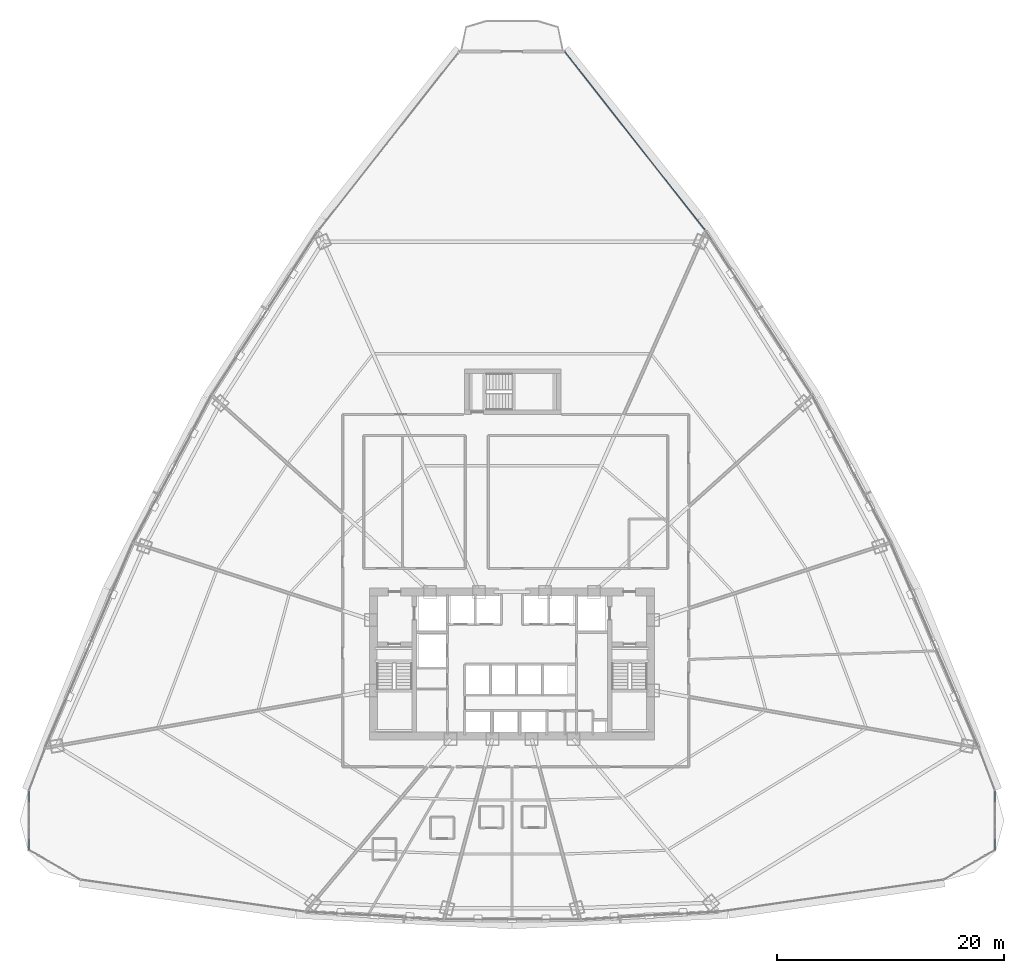
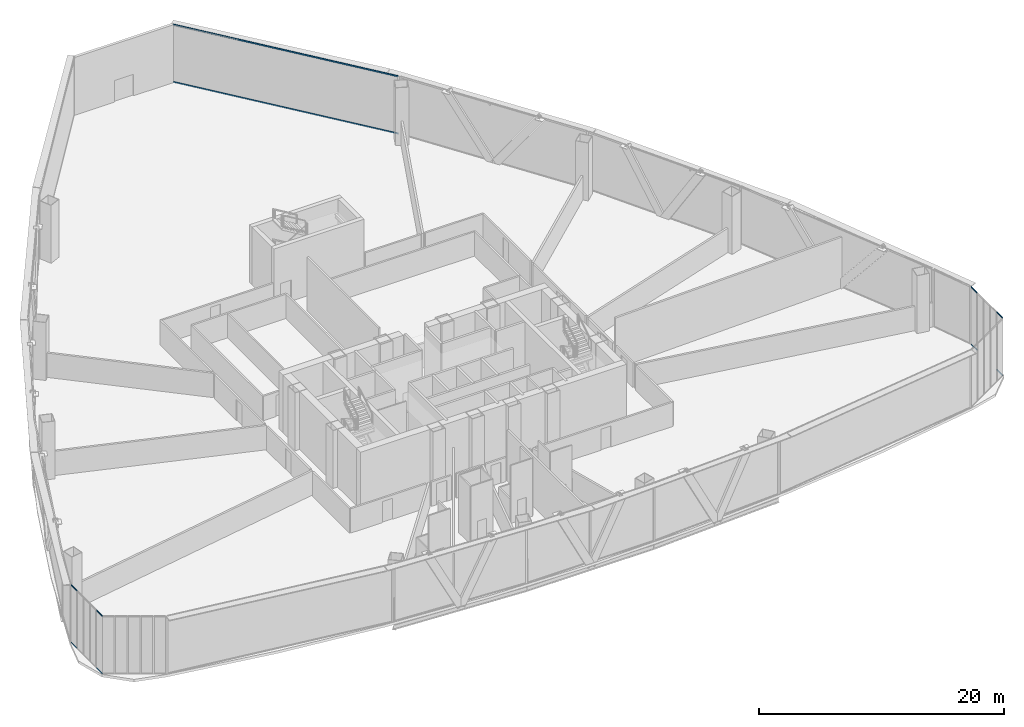
# One storey, part 28 of 41: 10 members, 3 elements without a shape of their own.
"""IFC4 building model written with IfcOpenShell, lengths in metres."""

from ifc_helpers import new_model, si_unit, direction, frame, origin, origin_2d, place, context, subcontext, project, spatial, hollow_rectangle, extrude, source, transform, mapped, material, layer, layer_set, material_profile, profile_set, type_object, element, aggregate, save


model = new_model("IFC4")

# Units and contexts
model_context = context("Model", 3, precision=1e-05, world=origin(), true_north=direction((0.0, 1.0)))
body_context = subcontext(model_context, "Body", "Model", "MODEL_VIEW")
ifc_project = project(units=[si_unit("LENGTHUNIT", "METRE"), si_unit("AREAUNIT", "SQUARE_METRE"), si_unit("VOLUMEUNIT", "CUBIC_METRE"), si_unit("PLANEANGLEUNIT", "RADIAN"), si_unit("MASSUNIT", "GRAM", prefix="KILO"), si_unit("THERMODYNAMICTEMPERATUREUNIT", "KELVIN"), si_unit("POWERUNIT", "WATT")], contexts=[model_context])

# Site, building, storey
site_placement = place(None, origin())
site = spatial("IfcSite", under=ifc_project, at=site_placement, CompositionType="ELEMENT")
building_placement = place(site_placement, origin())
building = spatial("IfcBuilding", under=site, at=building_placement, Name="Yunzhuo Pagoda Commons", CompositionType="ELEMENT")
storey_placement = place(building_placement, frame((0.0, 0.0, 70.330078125)))
storey = spatial("IfcBuildingStorey", under=building, at=storey_placement, Name="L18", CompositionType="ELEMENT", Elevation=70.330078125)

# Curtain wall, members
ifc_material = material(Name="Anodized aluminium 6063-T6", Category="aluminium")
ifc_layer_1 = layer(ifc_material, 0.1650390625)
ifc_layer_set_1 = layer_set([ifc_layer_1], Name="Anodized aluminium 6063-T6")
curtain_wall_type_1 = type_object("IfcCurtainWallType", Name="CW-LOW Low-Zone Ribbon Curtain Wall", PredefinedType="NOTDEFINED", material=ifc_layer_set_1)
curtain_wall_1_placement = place(storey_placement, origin())
curtain_wall_1 = element("IfcCurtainWall", 1, at=curtain_wall_1_placement, inside=storey, type_object=curtain_wall_type_1, Name="L18 curtain wall CW-L18-F2B5", PredefinedType="NOTDEFINED")
ifc_material_profile_1 = material_profile(ifc_material, hollow_rectangle(XDim=0.06005859375, YDim=0.139892578125, WallThickness=0.00341796875, at=origin_2d()), Name="Anodized aluminium 6063-T6")
ifc_profile_set_1 = profile_set([ifc_material_profile_1], Name="Anodized aluminium 6063-T6")
member_type_1 = type_object("IfcMemberType", Name="CW-LOW-T Transom RHS 140x60x3.5", PredefinedType="USERDEFINED", material=ifc_profile_set_1)
shared_shape_1 = source(origin(), body_context, "Body", "SweptSolid", [
    extrude(hollow_rectangle(XDim=0.06005859375, YDim=0.139892578125, WallThickness=0.00341796875, at=origin_2d()), origin(), (0.0, 0.0, 1.0), 19.85400390625),
])
member_1_placement = place(storey_placement, frame((64.951416015625, 72.077880859375, 0.030029296875), z_axis=(-0.618169601728, 0.786044746499, 0.0), x_axis=(-0.786044746499, -0.618169601728, 0.0)))
member_1 = element("IfcMember", 2, at=member_1_placement, type_object=member_type_1, Name="CW transom 1.1", ObjectType="TRANSOM", PredefinedType="USERDEFINED", context=body_context, shape_type="MappedRepresentation", body=[
    mapped(shared_shape_1, transform((0.0, 0.0, 0.0), scale=1.0)),
])
member_2_placement = place(storey_placement, frame((64.951416015625, 72.077880859375, 5.739990234375), z_axis=(-0.618169601728, 0.786044746499, 0.0), x_axis=(-0.786044746499, -0.618169601728, 0.0)))
member_2 = element("IfcMember", 3, at=member_2_placement, type_object=member_type_1, Name="CW transom 1.2", ObjectType="TRANSOM", PredefinedType="USERDEFINED", context=body_context, shape_type="MappedRepresentation", body=[
    mapped(shared_shape_1, transform((0.0, 0.0, 0.0), scale=1.0)),
])
aggregate(curtain_wall_1, [member_1, member_2])

ifc_layer_2 = layer(ifc_material, 0.1298828125)
ifc_layer_set_2 = layer_set([ifc_layer_2], Name="Anodized aluminium 6063-T6")
curtain_wall_type_2 = type_object("IfcCurtainWallType", Name="CW-VTX Rounded Corner Curtain Wall", PredefinedType="NOTDEFINED", material=ifc_layer_set_2)
curtain_wall_2_placement = place(storey_placement, origin())
curtain_wall_2 = element("IfcCurtainWall", 4, at=curtain_wall_2_placement, inside=storey, type_object=curtain_wall_type_2, Name="L18 curtain wall CW-L18-VTX1S1", PredefinedType="NOTDEFINED")
ifc_material_profile_2 = material_profile(ifc_material, hollow_rectangle(XDim=0.054931640625, YDim=0.1201171875, WallThickness=0.00341796875, at=origin_2d()), Name="Anodized aluminium 6063-T6")
ifc_profile_set_2 = profile_set([ifc_material_profile_2], Name="Anodized aluminium 6063-T6")
member_type_2 = type_object("IfcMemberType", Name="CW-VTX-T Transom RHS 120x55x3.5", PredefinedType="USERDEFINED", material=ifc_profile_set_2)
shared_shape_2 = source(origin(), body_context, "Body", "SweptSolid", [
    extrude(hollow_rectangle(XDim=0.054931640625, YDim=0.1201171875, WallThickness=0.00341796875, at=origin_2d()), origin(), (0.0, 0.0, 1.0), 0.9716796875),
])
member_3_placement = place(storey_placement, frame((5.5029296875, 22.6533203125, 0.02734375), z_axis=(-0.003768817455, -0.999992897982, 0.0), x_axis=(0.999992897982, -0.003768817455, 0.0)))
member_3 = element("IfcMember", 5, at=member_3_placement, type_object=member_type_2, Name="CW transom 1.1", ObjectType="TRANSOM", PredefinedType="USERDEFINED", context=body_context, shape_type="MappedRepresentation", body=[
    mapped(shared_shape_2, transform((0.0, 0.0, 0.0), scale=1.0)),
])
member_4_placement = place(storey_placement, frame((5.5029296875, 22.6533203125, 5.742431640625), z_axis=(-0.003768817455, -0.999992897982, 0.0), x_axis=(0.999992897982, -0.003768817455, 0.0)))
member_4 = element("IfcMember", 6, at=member_4_placement, type_object=member_type_2, Name="CW transom 1.2", ObjectType="TRANSOM", PredefinedType="USERDEFINED", context=body_context, shape_type="MappedRepresentation", body=[
    mapped(shared_shape_2, transform((0.0, 0.0, 0.0), scale=1.0)),
])

curtain_wall_3_placement = place(storey_placement, origin())
curtain_wall_3 = element("IfcCurtainWall", 7, at=curtain_wall_3_placement, inside=storey, type_object=curtain_wall_type_2, Name="L18 curtain wall CW-L18-VTX2S2", PredefinedType="NOTDEFINED")
member_5_placement = place(storey_placement, frame((90.500732421875, 21.681640625, 0.02734375), z_axis=(-0.003266314234, 0.999994665581, 0.0), x_axis=(-0.999994665581, -0.003266314234, 0.0)))
member_5 = element("IfcMember", 8, at=member_5_placement, type_object=member_type_2, Name="CW transom 5.1", ObjectType="TRANSOM", PredefinedType="USERDEFINED", context=body_context, shape_type="MappedRepresentation", body=[
    mapped(shared_shape_2, transform((0.0, 0.0, 0.0), scale=1.0)),
])
member_6_placement = place(storey_placement, frame((90.500732421875, 21.681640625, 5.742431640625), z_axis=(-0.003266314234, 0.999994665581, 0.0), x_axis=(-0.999994665581, -0.003266314234, 0.0)))
member_6 = element("IfcMember", 9, at=member_6_placement, type_object=member_type_2, Name="CW transom 5.2", ObjectType="TRANSOM", PredefinedType="USERDEFINED", context=body_context, shape_type="MappedRepresentation", body=[
    mapped(shared_shape_2, transform((0.0, 0.0, 0.0), scale=1.0)),
])

# Member
shared_shape_3 = source(origin(), body_context, "Body", "SweptSolid", [
    extrude(hollow_rectangle(XDim=0.054931640625, YDim=0.1201171875, WallThickness=0.00341796875, at=origin_2d()), origin(), (0.0, 0.0, 1.0), 0.971435546875),
])
member_7_placement = place(storey_placement, frame((5.48779296875, 18.4638671875, 0.02734375), z_axis=(-0.003769764618, -0.999992894412, 0.0), x_axis=(0.999992894412, -0.003769764618, 0.0)))
member_7 = element("IfcMember", 10, at=member_7_placement, type_object=member_type_2, Name="CW transom 5.1", ObjectType="TRANSOM", PredefinedType="USERDEFINED", context=body_context, shape_type="MappedRepresentation", body=[
    mapped(shared_shape_3, transform((0.0, 0.0, 0.0), scale=1.0)),
])

member_8_placement = place(storey_placement, frame((5.48779296875, 18.4638671875, 5.742431640625), z_axis=(-0.003769764618, -0.999992894412, 0.0), x_axis=(0.999992894412, -0.003769764618, 0.0)))
member_8 = element("IfcMember", 11, at=member_8_placement, type_object=member_type_2, Name="CW transom 5.2", ObjectType="TRANSOM", PredefinedType="USERDEFINED", context=body_context, shape_type="MappedRepresentation", body=[
    mapped(shared_shape_3, transform((0.0, 0.0, 0.0), scale=1.0)),
])

aggregate(curtain_wall_2, [member_3, member_4, member_7, member_8])

member_9_placement = place(storey_placement, frame((90.515869140625, 17.492431640625, 0.02734375), z_axis=(-0.003769764618, 0.999992894412, 0.0), x_axis=(-0.999992894412, -0.003769764618, 0.0)))
member_9 = element("IfcMember", 12, at=member_9_placement, type_object=member_type_2, Name="CW transom 1.1", ObjectType="TRANSOM", PredefinedType="USERDEFINED", context=body_context, shape_type="MappedRepresentation", body=[
    mapped(shared_shape_3, transform((0.0, 0.0, 0.0), scale=1.0)),
])

member_10_placement = place(storey_placement, frame((90.515869140625, 17.492431640625, 5.742431640625), z_axis=(-0.003769764618, 0.999992894412, 0.0), x_axis=(-0.999992894412, -0.003769764618, 0.0)))
member_10 = element("IfcMember", 13, at=member_10_placement, type_object=member_type_2, Name="CW transom 1.2", ObjectType="TRANSOM", PredefinedType="USERDEFINED", context=body_context, shape_type="MappedRepresentation", body=[
    mapped(shared_shape_3, transform((0.0, 0.0, 0.0), scale=1.0)),
])

aggregate(curtain_wall_3, [member_9, member_10, member_5, member_6])

save(model, "model.ifc")
